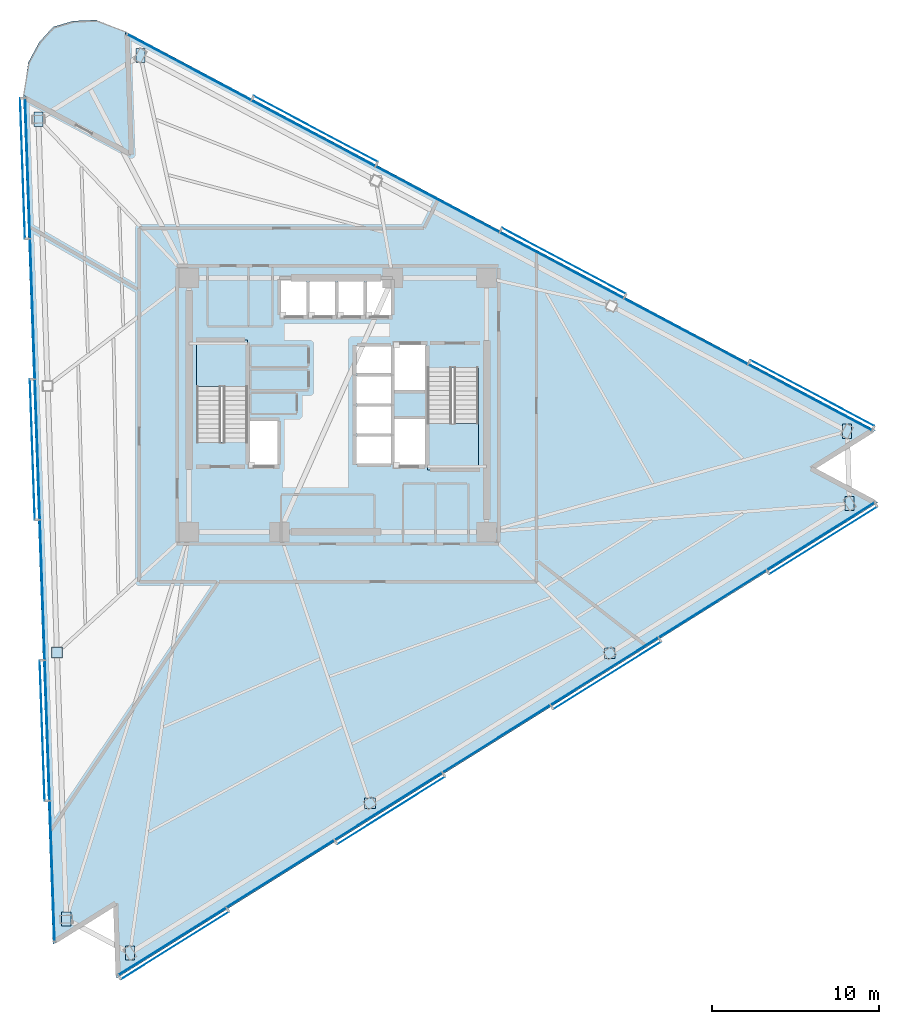
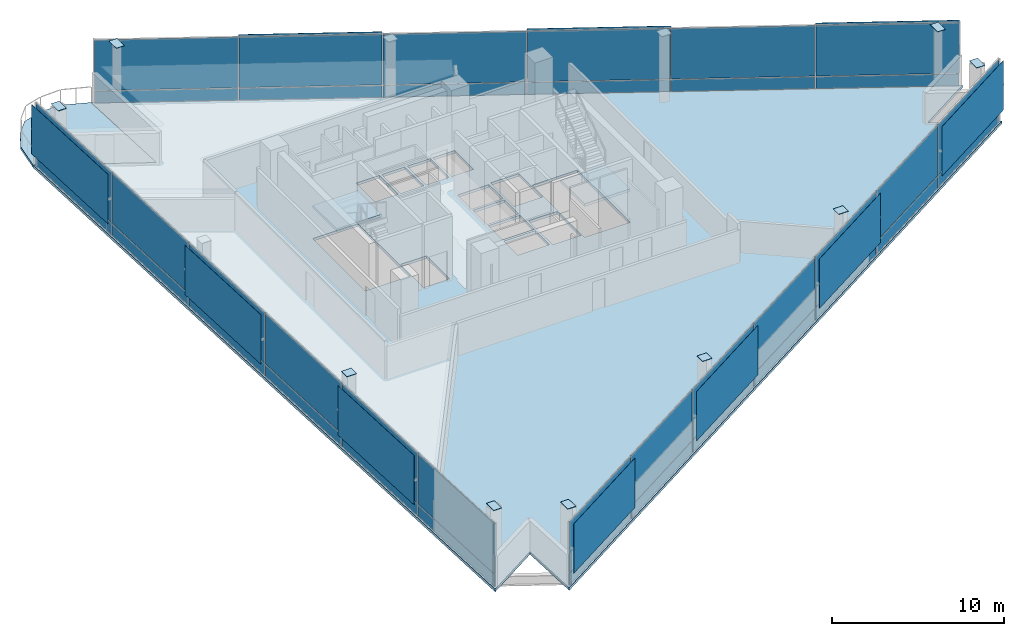
# One storey, part 11 of 19: 57 plates, 4 slabs, 5 elements without a shape of their own.
"""IFC4 building model written with IfcOpenShell, lengths in metres."""

from ifc_helpers import new_model, si_unit, direction, frame, origin, origin_2d, place, context, subcontext, project, spatial, polyline, rectangle, outline, extrude, material, layer, layer_set, type_object, element, aggregate, save


model = new_model("IFC4")

# Units and contexts
model_context = context("Model", 3, precision=1e-05, world=origin(), true_north=direction((0.0, 1.0)))
body_context = subcontext(model_context, "Body", "Model", "MODEL_VIEW")
ifc_project = project(units=[si_unit("LENGTHUNIT", "METRE"), si_unit("AREAUNIT", "SQUARE_METRE"), si_unit("VOLUMEUNIT", "CUBIC_METRE"), si_unit("PLANEANGLEUNIT", "RADIAN"), si_unit("MASSUNIT", "GRAM", prefix="KILO")], contexts=[model_context])

# Site, building, storey
site_placement = place(None, origin())
site = spatial("IfcSite", under=ifc_project, at=site_placement, CompositionType="ELEMENT")
building_placement = place(site_placement, origin())
building = spatial("IfcBuilding", under=site, at=building_placement, Name="Tharavind Bronze Gate", CompositionType="ELEMENT")
storey_placement = place(building_placement, frame((0.0, 0.0, 160.39990234375)))
storey = spatial("IfcBuildingStorey", under=building, at=storey_placement, Name="L41", CompositionType="ELEMENT", Elevation=160.39990234375)

# Plates
ifc_material_1 = material(Name="Perforated Bronze Alloy", Category="bronze")
ifc_layer_1 = layer(ifc_material_1, 0.011962890625)
ifc_layer_set_1 = layer_set([ifc_layer_1], Name="Perforated Bronze Alloy")
plate_type_1 = type_object("IfcPlateType", Name="BRONZE PERFORATED SOLAR SCREEN", PredefinedType="USERDEFINED", material=ifc_layer_set_1)
for number, where, z_axis, x_axis, name in (
    (1, (-18.867919921875, 14.1494140625, 0.966552734375), (0.0, 0.0, 1.0), (0.034899496703, -0.999390827019, 0.0), "CW-L41-S1 perforated bronze solar screen 1"),
    (2, (-18.280517578125, -2.66943359375, 0.966552734375), (0.0, 0.0, 1.0), (0.034899496703, -0.999390827019, 0.0), "CW-L41-S1 perforated bronze solar screen 3"),
    (3, (-17.693115234375, -19.48828125, 0.966552734375), (0.0, 0.0, 1.0), (0.034899496703, -0.999390827019, 0.0), "CW-L41-S1 perforated bronze solar screen 5"),
):
    element("IfcPlate", number, at=place(storey_placement, frame(where, z_axis=z_axis, x_axis=x_axis)), inside=storey, type_object=plate_type_1, Name=name, ObjectType="SCREEN", PredefinedType="USERDEFINED", context=body_context, shape_type="SweptSolid", body=[
        extrude(rectangle(XDim=8.39453125, YDim=0.011962890625, at=origin_2d()), origin(), (0.0, 0.0, 1.0), 3.52197265625),
    ])
for number, where, z_axis, x_axis, name in (
    (4, (-9.75439453125, -32.3505859375, 0.966552734375), (0.0, 0.0, 1.0), (0.848048096156, 0.529919264233, 0.0), "CW-L41-S2 perforated bronze solar screen 1"),
    (5, (3.176513671875, -24.2705078125, 0.966552734375), (0.0, 0.0, 1.0), (0.848048096156, 0.529919264233, 0.0), "CW-L41-S2 perforated bronze solar screen 3"),
    (6, (16.107421875, -16.190185546875, 0.966552734375), (0.0, 0.0, 1.0), (0.848048096156, 0.529919264233, 0.0), "CW-L41-S2 perforated bronze solar screen 5"),
    (7, (29.0380859375, -8.110107421875, 0.966552734375), (0.0, 0.0, 1.0), (0.848048096156, 0.529919264233, 0.0), "CW-L41-S2 perforated bronze solar screen 7"),
):
    element("IfcPlate", number, at=place(storey_placement, frame(where, z_axis=z_axis, x_axis=x_axis)), inside=storey, type_object=plate_type_1, Name=name, ObjectType="SCREEN", PredefinedType="USERDEFINED", context=body_context, shape_type="SweptSolid", body=[
        extrude(rectangle(XDim=7.60400390625, YDim=0.011962890625, at=origin_2d()), origin(), (0.0, 0.0, 1.0), 3.52197265625),
    ])
for number, where, z_axis, x_axis, name in (
    (8, (28.387451171875, 0.713134765625, 0.966552734375), (0.0, 0.0, 1.0), (-0.882947592859, 0.469471562786, 0.0), "CW-L41-S3 perforated bronze solar screen 1"),
    (9, (13.5283203125, 8.614013671875, 0.966552734375), (0.0, 0.0, 1.0), (-0.882947592859, 0.469471562786, 0.0), "CW-L41-S3 perforated bronze solar screen 3"),
    (10, (-1.3310546875, 16.514892578125, 0.966552734375), (0.0, 0.0, 1.0), (-0.882947592859, 0.469471562786, 0.0), "CW-L41-S3 perforated bronze solar screen 5"),
):
    element("IfcPlate", number, at=place(storey_placement, frame(where, z_axis=z_axis, x_axis=x_axis)), inside=storey, type_object=plate_type_1, Name=name, ObjectType="SCREEN", PredefinedType="USERDEFINED", context=body_context, shape_type="SweptSolid", body=[
        extrude(rectangle(XDim=8.39453125, YDim=0.011962890625, at=origin_2d()), origin(), (0.0, 0.0, 1.0), 3.52197265625),
    ])

# Curtain wall, plates
ifc_material_2 = material(Name="Anodised Bronze Aluminium", Category="aluminium")
ifc_layer_2 = layer(ifc_material_2, 0.219970703125)
ifc_layer_set_2 = layer_set([ifc_layer_2], Name="Anodised Bronze Aluminium")
curtain_wall_type = type_object("IfcCurtainWallType", Name="UNITISED CURTAIN WALL MID OFFICE", PredefinedType="USERDEFINED", material=ifc_layer_set_2)
curtain_wall_1_placement = place(storey_placement, origin())
curtain_wall_1 = element("IfcCurtainWall", 11, at=curtain_wall_1_placement, inside=storey, type_object=curtain_wall_type, Name="L41 unitised curtain wall mid office CW-L41-S1", ObjectType="UNITISED CURTAIN WALL", PredefinedType="USERDEFINED")
ifc_material_3 = material(Name="Patinated Bronze Alloy Sheet", Category="bronze")
ifc_layer_3 = layer(ifc_material_3, 0.01611328125)
ifc_layer_set_3 = layer_set([ifc_layer_3], Name="Patinated Bronze Alloy Sheet")
plate_type_2 = type_object("IfcPlateType", Name="BRONZE SPANDREL CLADDING PANEL 16", PredefinedType="CURTAIN_PANEL", material=ifc_layer_set_3)
plate_1_placement = place(storey_placement, frame((-18.572998046875, 14.159912109375, 0.02685546875), z_axis=(0.0, 0.0, 1.0), x_axis=(0.034899496703, -0.999390827019, 0.0)))
plate_1 = element("IfcPlate", 12, at=plate_1_placement, type_object=plate_type_2, Name="CW-L41-S1 bronze spandrel panel 1", PredefinedType="CURTAIN_PANEL", context=body_context, shape_type="SweptSolid", body=[
    extrude(rectangle(XDim=8.361572265625, YDim=0.01611328125, at=origin_2d()), origin(), (0.0, 0.0, 1.0), 0.846923828125),
])
plate_2_placement = place(storey_placement, frame((-18.279296875, 5.750244140625, 0.02685546875), z_axis=(0.0, 0.0, 1.0), x_axis=(0.034899496703, -0.999390827019, 0.0)))
plate_2 = element("IfcPlate", 13, at=plate_2_placement, type_object=plate_type_2, Name="CW-L41-S1 bronze spandrel panel 2", PredefinedType="CURTAIN_PANEL", context=body_context, shape_type="SweptSolid", body=[
    extrude(rectangle(XDim=8.361572265625, YDim=0.01611328125, at=origin_2d()), origin(), (0.0, 0.0, 1.0), 0.846923828125),
])
plate_3_placement = place(storey_placement, frame((-17.985595703125, -2.6591796875, 0.02685546875), z_axis=(0.0, 0.0, 1.0), x_axis=(0.034899496703, -0.999390827019, 0.0)))
plate_3 = element("IfcPlate", 14, at=plate_3_placement, type_object=plate_type_2, Name="CW-L41-S1 bronze spandrel panel 3", PredefinedType="CURTAIN_PANEL", context=body_context, shape_type="SweptSolid", body=[
    extrude(rectangle(XDim=8.361572265625, YDim=0.01611328125, at=origin_2d()), origin(), (0.0, 0.0, 1.0), 0.846923828125),
])
plate_4_placement = place(storey_placement, frame((-17.69189453125, -11.068603515625, 0.02685546875), z_axis=(0.0, 0.0, 1.0), x_axis=(0.034899496703, -0.999390827019, 0.0)))
plate_4 = element("IfcPlate", 15, at=plate_4_placement, type_object=plate_type_2, Name="CW-L41-S1 bronze spandrel panel 4", PredefinedType="CURTAIN_PANEL", context=body_context, shape_type="SweptSolid", body=[
    extrude(rectangle(XDim=8.361572265625, YDim=0.01611328125, at=origin_2d()), origin(), (0.0, 0.0, 1.0), 0.846923828125),
])
plate_5_placement = place(storey_placement, frame((-17.398193359375, -19.477783203125, 0.02685546875), z_axis=(0.0, 0.0, 1.0), x_axis=(0.034899496703, -0.999390827019, 0.0)))
plate_5 = element("IfcPlate", 16, at=plate_5_placement, type_object=plate_type_2, Name="CW-L41-S1 bronze spandrel panel 5", PredefinedType="CURTAIN_PANEL", context=body_context, shape_type="SweptSolid", body=[
    extrude(rectangle(XDim=8.361572265625, YDim=0.01611328125, at=origin_2d()), origin(), (0.0, 0.0, 1.0), 0.846923828125),
])
plate_6_placement = place(storey_placement, frame((-17.1044921875, -27.887451171875, 0.02685546875), z_axis=(0.0, 0.0, 1.0), x_axis=(0.034899496703, -0.999390827019, 0.0)))
plate_6 = element("IfcPlate", 17, at=plate_6_placement, type_object=plate_type_2, Name="CW-L41-S1 bronze spandrel panel 6", PredefinedType="CURTAIN_PANEL", context=body_context, shape_type="SweptSolid", body=[
    extrude(rectangle(XDim=8.361572265625, YDim=0.01611328125, at=origin_2d()), origin(), (0.0, 0.0, 1.0), 0.846923828125),
])

curtain_wall_2_placement = place(storey_placement, origin())
curtain_wall_2 = element("IfcCurtainWall", 18, at=curtain_wall_2_placement, inside=storey, type_object=curtain_wall_type, Name="L41 unitised curtain wall mid office CW-L41-S2", ObjectType="UNITISED CURTAIN WALL", PredefinedType="USERDEFINED")
plate_7_placement = place(storey_placement, frame((-9.910888671875, -32.100341796875, 0.02685546875), z_axis=(0.0, 0.0, 1.0), x_axis=(0.848048096156, 0.529919264233, 0.0)))
plate_7 = element("IfcPlate", 19, at=plate_7_placement, type_object=plate_type_2, Name="CW-L41-S2 bronze spandrel panel 1", PredefinedType="CURTAIN_PANEL", context=body_context, shape_type="SweptSolid", body=[
    extrude(rectangle(XDim=7.57080078125, YDim=0.01611328125, at=origin_2d()), origin(), (0.0, 0.0, 1.0), 0.846923828125),
])
plate_8_placement = place(storey_placement, frame((-3.4453125, -28.060302734375, 0.02685546875), z_axis=(0.0, 0.0, 1.0), x_axis=(0.848048096156, 0.529919264233, 0.0)))
plate_8 = element("IfcPlate", 20, at=plate_8_placement, type_object=plate_type_2, Name="CW-L41-S2 bronze spandrel panel 2", PredefinedType="CURTAIN_PANEL", context=body_context, shape_type="SweptSolid", body=[
    extrude(rectangle(XDim=7.57080078125, YDim=0.01611328125, at=origin_2d()), origin(), (0.0, 0.0, 1.0), 0.846923828125),
])
plate_9_placement = place(storey_placement, frame((3.02001953125, -24.020263671875, 0.02685546875), z_axis=(0.0, 0.0, 1.0), x_axis=(0.848048096156, 0.529919264233, 0.0)))
plate_9 = element("IfcPlate", 21, at=plate_9_placement, type_object=plate_type_2, Name="CW-L41-S2 bronze spandrel panel 3", PredefinedType="CURTAIN_PANEL", context=body_context, shape_type="SweptSolid", body=[
    extrude(rectangle(XDim=7.57080078125, YDim=0.01611328125, at=origin_2d()), origin(), (0.0, 0.0, 1.0), 0.846923828125),
])
plate_10_placement = place(storey_placement, frame((9.485595703125, -19.97998046875, 0.02685546875), z_axis=(0.0, 0.0, 1.0), x_axis=(0.848048096156, 0.529919264233, 0.0)))
plate_10 = element("IfcPlate", 22, at=plate_10_placement, type_object=plate_type_2, Name="CW-L41-S2 bronze spandrel panel 4", PredefinedType="CURTAIN_PANEL", context=body_context, shape_type="SweptSolid", body=[
    extrude(rectangle(XDim=7.57080078125, YDim=0.01611328125, at=origin_2d()), origin(), (0.0, 0.0, 1.0), 0.846923828125),
])
plate_11_placement = place(storey_placement, frame((15.950927734375, -15.93994140625, 0.02685546875), z_axis=(0.0, 0.0, 1.0), x_axis=(0.848048096156, 0.529919264233, 0.0)))
plate_11 = element("IfcPlate", 23, at=plate_11_placement, type_object=plate_type_2, Name="CW-L41-S2 bronze spandrel panel 5", PredefinedType="CURTAIN_PANEL", context=body_context, shape_type="SweptSolid", body=[
    extrude(rectangle(XDim=7.57080078125, YDim=0.01611328125, at=origin_2d()), origin(), (0.0, 0.0, 1.0), 0.846923828125),
])
plate_12_placement = place(storey_placement, frame((22.41650390625, -11.89990234375, 0.02685546875), z_axis=(0.0, 0.0, 1.0), x_axis=(0.848048096156, 0.529919264233, 0.0)))
plate_12 = element("IfcPlate", 24, at=plate_12_placement, type_object=plate_type_2, Name="CW-L41-S2 bronze spandrel panel 6", PredefinedType="CURTAIN_PANEL", context=body_context, shape_type="SweptSolid", body=[
    extrude(rectangle(XDim=7.57080078125, YDim=0.01611328125, at=origin_2d()), origin(), (0.0, 0.0, 1.0), 0.846923828125),
])
plate_13_placement = place(storey_placement, frame((28.8818359375, -7.85986328125, 0.02685546875), z_axis=(0.0, 0.0, 1.0), x_axis=(0.848048096156, 0.529919264233, 0.0)))
plate_13 = element("IfcPlate", 25, at=plate_13_placement, type_object=plate_type_2, Name="CW-L41-S2 bronze spandrel panel 7", PredefinedType="CURTAIN_PANEL", context=body_context, shape_type="SweptSolid", body=[
    extrude(rectangle(XDim=7.57080078125, YDim=0.01611328125, at=origin_2d()), origin(), (0.0, 0.0, 1.0), 0.846923828125),
])

curtain_wall_3_placement = place(storey_placement, origin())
curtain_wall_3 = element("IfcCurtainWall", 26, at=curtain_wall_3_placement, inside=storey, type_object=curtain_wall_type, Name="L41 unitised curtain wall mid office CW-L41-S3", ObjectType="UNITISED CURTAIN WALL", PredefinedType="USERDEFINED")
plate_14_placement = place(storey_placement, frame((28.2490234375, 0.45263671875, 0.02685546875), z_axis=(0.0, 0.0, 1.0), x_axis=(-0.882947592859, 0.469471562786, 0.0)))
plate_14 = element("IfcPlate", 27, at=plate_14_placement, type_object=plate_type_2, Name="CW-L41-S3 bronze spandrel panel 1", PredefinedType="CURTAIN_PANEL", context=body_context, shape_type="SweptSolid", body=[
    extrude(rectangle(XDim=8.361572265625, YDim=0.01611328125, at=origin_2d()), origin(), (0.0, 0.0, 1.0), 0.846923828125),
])
plate_15_placement = place(storey_placement, frame((20.8193359375, 4.403076171875, 0.02685546875), z_axis=(0.0, 0.0, 1.0), x_axis=(-0.882947592859, 0.469471562786, 0.0)))
plate_15 = element("IfcPlate", 28, at=plate_15_placement, type_object=plate_type_2, Name="CW-L41-S3 bronze spandrel panel 2", PredefinedType="CURTAIN_PANEL", context=body_context, shape_type="SweptSolid", body=[
    extrude(rectangle(XDim=8.361572265625, YDim=0.01611328125, at=origin_2d()), origin(), (0.0, 0.0, 1.0), 0.846923828125),
])
plate_16_placement = place(storey_placement, frame((13.389892578125, 8.353515625, 0.02685546875), z_axis=(0.0, 0.0, 1.0), x_axis=(-0.882947592859, 0.469471562786, 0.0)))
plate_16 = element("IfcPlate", 29, at=plate_16_placement, type_object=plate_type_2, Name="CW-L41-S3 bronze spandrel panel 3", PredefinedType="CURTAIN_PANEL", context=body_context, shape_type="SweptSolid", body=[
    extrude(rectangle(XDim=8.361572265625, YDim=0.01611328125, at=origin_2d()), origin(), (0.0, 0.0, 1.0), 0.846923828125),
])
plate_17_placement = place(storey_placement, frame((5.960205078125, 12.303955078125, 0.02685546875), z_axis=(0.0, 0.0, 1.0), x_axis=(-0.882947592859, 0.469471562786, 0.0)))
plate_17 = element("IfcPlate", 30, at=plate_17_placement, type_object=plate_type_2, Name="CW-L41-S3 bronze spandrel panel 4", PredefinedType="CURTAIN_PANEL", context=body_context, shape_type="SweptSolid", body=[
    extrude(rectangle(XDim=8.361572265625, YDim=0.01611328125, at=origin_2d()), origin(), (0.0, 0.0, 1.0), 0.846923828125),
])
plate_18_placement = place(storey_placement, frame((-1.469482421875, 16.25439453125, 0.02685546875), z_axis=(0.0, 0.0, 1.0), x_axis=(-0.882947592859, 0.469471562786, 0.0)))
plate_18 = element("IfcPlate", 31, at=plate_18_placement, type_object=plate_type_2, Name="CW-L41-S3 bronze spandrel panel 5", PredefinedType="CURTAIN_PANEL", context=body_context, shape_type="SweptSolid", body=[
    extrude(rectangle(XDim=8.361572265625, YDim=0.01611328125, at=origin_2d()), origin(), (0.0, 0.0, 1.0), 0.846923828125),
])
plate_19_placement = place(storey_placement, frame((-8.899169921875, 20.20458984375, 0.02685546875), z_axis=(0.0, 0.0, 1.0), x_axis=(-0.882947592859, 0.469471562786, 0.0)))
plate_19 = element("IfcPlate", 32, at=plate_19_placement, type_object=plate_type_2, Name="CW-L41-S3 bronze spandrel panel 6", PredefinedType="CURTAIN_PANEL", context=body_context, shape_type="SweptSolid", body=[
    extrude(rectangle(XDim=8.361572265625, YDim=0.01611328125, at=origin_2d()), origin(), (0.0, 0.0, 1.0), 0.846923828125),
])

# Slab
ifc_material_4 = material(Name="Concrete C40/50", Category="concrete")
ifc_layer_4 = layer(ifc_material_4, 0.179931640625)
ifc_layer_set_4 = layer_set([ifc_layer_4], Name="Concrete C40/50")
slab_type_1 = type_object("IfcSlabType", Name="EXTERIOR BALCONY SLAB 180", PredefinedType="FLOOR", material=ifc_layer_set_4)
slab_1_placement = place(storey_placement, frame((0.0, 0.0, -0.179931640625)))
element("IfcSlab", 33, at=slab_1_placement, inside=storey, type_object=slab_type_1, Name="L41 northeast tree balcony slab", PredefinedType="FLOOR", context=body_context, shape_type="SweptSolid", body=[
    extrude(outline(polyline([(-14.45654296875, 23.033203125), (-15.835693359375, 22.975830078125), (-17.032470703125, 22.626220703125), (-17.87109375, 21.7041015625), (-18.527099609375, 20.489501953125), (-18.82568359375, 18.5341796875), (-12.468505859375, 15.15380859375), (-12.719970703125, 22.349609375), (-14.45654296875, 23.033203125)])), origin(), (0.0, 0.0, 1.0), 0.179931640625),
])

# Stair, slab
stair_type = type_object("IfcStairType", Name="CORE HALF TURN STAIR 1450", PredefinedType="HALF_TURN_STAIR", material=ifc_material_4)
stair_1_placement = place(storey_placement, origin())
stair_1 = element("IfcStair", 34, at=stair_1_placement, inside=storey, type_object=stair_type, Name="L41 Protected Exit Stair ST1", PredefinedType="HALF_TURN_STAIR")
ifc_layer_5 = layer(ifc_material_4, 0.199951171875)
ifc_layer_set_5 = layer_set([ifc_layer_5], Name="Concrete C40/50")
slab_type_2 = type_object("IfcSlabType", Name="STAIR LANDING SLAB 200", PredefinedType="LANDING", material=ifc_layer_set_5)
slab_2_placement = place(storey_placement, frame((0.0, 0.0, 2.175048828125)))
slab_2 = element("IfcSlab", 35, at=slab_2_placement, type_object=slab_type_2, Name="ST1 landing 1", PredefinedType="LANDING", context=body_context, shape_type="SweptSolid", body=[
    extrude(outline(polyline([(-5.39990234375, 1.110107421875), (-5.39990234375, 3.89990234375), (-8.449951171875, 3.89990234375), (-8.449951171875, 1.110107421875), (-5.39990234375, 1.110107421875)])), origin(), (0.0, 0.0, 1.0), 0.199951171875),
])
aggregate(stair_1, [slab_2])

stair_2_placement = place(storey_placement, origin())
stair_2 = element("IfcStair", 36, at=stair_2_placement, inside=storey, type_object=stair_type, Name="L41 Protected Exit Stair ST2", PredefinedType="HALF_TURN_STAIR")
slab_3_placement = place(storey_placement, frame((0.0, 0.0, 2.175048828125)))
slab_3 = element("IfcSlab", 37, at=slab_3_placement, type_object=slab_type_2, Name="ST2 landing 1", PredefinedType="LANDING", context=body_context, shape_type="SweptSolid", body=[
    extrude(outline(polyline([(5.35009765625, -1.110107421875), (5.35009765625, -3.89990234375), (8.39990234375, -3.89990234375), (8.39990234375, -1.110107421875), (5.35009765625, -1.110107421875)])), origin(), (0.0, 0.0, 1.0), 0.199951171875),
])
aggregate(stair_2, [slab_3])

# Plates
ifc_material_5 = material(Name="Steel S460", Category="steel")
ifc_layer_6 = layer(ifc_material_5, 0.02490234375)
ifc_layer_set_6 = layer_set([ifc_layer_6], Name="Steel S460")
plate_type_3 = type_object("IfcPlateType", Name="STEEL END CAP SHEET 25", PredefinedType="SHEET", material=ifc_layer_set_6)
plate_20_placement = place(storey_placement, frame((-17.9248046875, 17.09228515625, 4.737548828125), z_axis=(0.0, 0.0, 1.0), x_axis=(1.0, 0.0, 0.0)))
element("IfcPlate", 38, at=plate_20_placement, inside=storey, type_object=plate_type_3, Name="Steel end cap plate CAP-COLT-L41-S1C1", PredefinedType="SHEET", context=body_context, shape_type="SweptSolid", body=[
    extrude(rectangle(XDim=0.544921875, YDim=0.844970703125, at=origin_2d()), origin(), (0.0, 0.0, 1.0), 0.02490234375),
])
plate_21_placement = place(storey_placement, frame((-16.810791015625, -14.814208984375, 4.737548828125), z_axis=(0.0, 0.0, 1.0), x_axis=(1.0, 0.0, 0.0)))
element("IfcPlate", 39, at=plate_21_placement, inside=storey, type_object=plate_type_3, Name="Steel end cap plate CAP-COLT-L41-S1C3", PredefinedType="SHEET", context=body_context, shape_type="SweptSolid", body=[
    extrude(rectangle(XDim=0.64501953125, YDim=0.64501953125, at=origin_2d()), origin(), (0.0, 0.0, 1.0), 0.02490234375),
])
for number, where, z_axis, x_axis, name in (
    (40, (-16.253662109375, -30.767578125, 4.737548828125), (0.0, 0.0, 1.0), (1.0, 0.0, 0.0), "Steel end cap plate CAP-COLT-L41-S1C4"),
    (41, (-12.439208984375, -32.7958984375, 4.737548828125), (0.0, 0.0, 1.0), (1.0, 0.0, 0.0), "Steel end cap plate CAP-COLT-L41-S2C1"),
):
    element("IfcPlate", number, at=place(storey_placement, frame(where, z_axis=z_axis, x_axis=x_axis)), inside=storey, type_object=plate_type_3, Name=name, PredefinedType="SHEET", context=body_context, shape_type="SweptSolid", body=[
        extrude(rectangle(XDim=0.544921875, YDim=0.844970703125, at=origin_2d()), origin(), (0.0, 0.0, 1.0), 0.02490234375),
    ])
for number, where, z_axis, x_axis, name in (
    (42, (1.912353515625, -23.827880859375, 4.737548828125), (0.0, 0.0, 1.0), (1.0, 0.0, 0.0), "Steel end cap plate CAP-COLT-L41-S2C2"),
    (43, (16.263916015625, -14.860107421875, 4.737548828125), (0.0, 0.0, 1.0), (1.0, 0.0, 0.0), "Steel end cap plate CAP-COLT-L41-S2C3"),
):
    element("IfcPlate", number, at=place(storey_placement, frame(where, z_axis=z_axis, x_axis=x_axis)), inside=storey, type_object=plate_type_3, Name=name, PredefinedType="SHEET", context=body_context, shape_type="SweptSolid", body=[
        extrude(rectangle(XDim=0.64501953125, YDim=0.64501953125, at=origin_2d()), origin(), (0.0, 0.0, 1.0), 0.02490234375),
    ])
for number, where, z_axis, x_axis, name in (
    (44, (30.615478515625, -5.89208984375, 4.737548828125), (0.0, 0.0, 1.0), (1.0, 0.0, 0.0), "Steel end cap plate CAP-COLT-L41-S2C4"),
    (45, (30.46484375, -1.57470703125, 4.737548828125), (0.0, 0.0, 1.0), (1.0, 0.0, 0.0), "Steel end cap plate CAP-COLT-L41-S3C1"),
    (46, (-11.819091796875, 20.90771484375, 4.737548828125), (0.0, 0.0, 1.0), (1.0, 0.0, 0.0), "Steel end cap plate CAP-COLT-L41-S3C4"),
):
    element("IfcPlate", number, at=place(storey_placement, frame(where, z_axis=z_axis, x_axis=x_axis)), inside=storey, type_object=plate_type_3, Name=name, PredefinedType="SHEET", context=body_context, shape_type="SweptSolid", body=[
        extrude(rectangle(XDim=0.544921875, YDim=0.844970703125, at=origin_2d()), origin(), (0.0, 0.0, 1.0), 0.02490234375),
    ])

# Slab
ifc_layer_7 = layer(ifc_material_4, 0.18994140625)
ifc_layer_set_7 = layer_set([ifc_layer_7], Name="Concrete C40/50")
slab_type_3 = type_object("IfcSlabType", Name="STRUCTURAL FLOOR SLAB 190", PredefinedType="FLOOR", material=ifc_layer_set_7)
slab_4_placement = place(storey_placement, frame((0.0, 0.0, -0.18994140625)))
element("IfcSlab", 47, at=slab_4_placement, inside=storey, type_object=slab_type_3, Name="L41 main structural floor slab", PredefinedType="FLOOR", context=body_context, shape_type="SweptSolid", body=[
    extrude(outline(polyline([(-12.719970703125, 22.349609375), (-12.468505859375, 15.15380859375), (-18.82568359375, 18.5341796875), (-17.0517578125, -32.268798828125), (-13.38818359375, -29.9794921875), (-13.2373046875, -34.296875), (32.314453125, -5.8330078125), (28.500244140625, -3.8046875), (32.163818359375, -1.515380859375), (-12.719970703125, 22.349609375)]), holes=[polyline([(-5.39990234375, -2.215087890625), (-5.39990234375, 3.89990234375), (-8.449951171875, 3.89990234375), (-8.449951171875, -2.215087890625), (-5.39990234375, -2.215087890625)]), polyline([(5.35009765625, 2.215087890625), (5.35009765625, -3.89990234375), (8.39990234375, -3.89990234375), (8.39990234375, 2.215087890625), (5.35009765625, 2.215087890625)]), polyline([(-3.419921875, 5.330078125), (-1.867431640625, 5.330078125), (-1.867431640625, 7.52001953125), (-3.419921875, 7.52001953125), (-3.419921875, 5.330078125)]), polyline([(-1.70751953125, 5.330078125), (-0.155029296875, 5.330078125), (-0.155029296875, 7.52001953125), (-1.70751953125, 7.52001953125), (-1.70751953125, 5.330078125)]), polyline([(0.0048828125, 5.330078125), (1.5576171875, 5.330078125), (1.5576171875, 7.52001953125), (0.0048828125, 7.52001953125), (0.0048828125, 5.330078125)]), polyline([(1.717529296875, 5.330078125), (3.199951171875, 5.330078125), (3.199951171875, 7.52001953125), (1.717529296875, 7.52001953125), (1.717529296875, 5.330078125)]), polyline([(1.080078125, -3.52001953125), (3.199951171875, -3.52001953125), (3.199951171875, -1.8798828125), (1.080078125, -1.8798828125), (1.080078125, -3.52001953125)]), polyline([(1.080078125, -1.719970703125), (3.199951171875, -1.719970703125), (3.199951171875, -0.080078125), (1.080078125, -0.080078125), (1.080078125, -1.719970703125)]), polyline([(1.080078125, 0.080078125), (3.199951171875, 0.080078125), (3.199951171875, 1.719970703125), (1.080078125, 1.719970703125), (1.080078125, 0.080078125)]), polyline([(1.080078125, 1.8798828125), (3.199951171875, 1.8798828125), (3.199951171875, 3.52001953125), (1.080078125, 3.52001953125), (1.080078125, 1.8798828125)]), polyline([(-5.320068359375, -3.6201171875), (-3.580078125, -3.6201171875), (-3.580078125, -0.929931640625), (-5.320068359375, -0.929931640625), (-5.320068359375, -3.6201171875)]), polyline([(3.360107421875, 0.8798828125), (5.27001953125, 0.8798828125), (5.27001953125, 3.6201171875), (3.360107421875, 3.6201171875), (3.360107421875, 0.8798828125)]), polyline([(3.360107421875, -3.6201171875), (5.27001953125, -3.6201171875), (5.27001953125, -0.830078125), (3.360107421875, -0.830078125), (3.360107421875, -3.6201171875)])]), origin(), (0.0, 0.0, 1.0), 0.18994140625),
])

# Plate
ifc_material_6 = material(Name="Triple Solar Control Glazing", Category="glass")
ifc_layer_8 = layer(ifc_material_6, 0.0439453125)
ifc_layer_set_8 = layer_set([ifc_layer_8], Name="Triple Solar Control Glazing")
plate_type_4 = type_object("IfcPlateType", Name="TRIPLE GLAZED FACADE PANEL 44", PredefinedType="CURTAIN_PANEL", material=ifc_layer_set_8)
plate_22_placement = place(storey_placement, frame((-18.572998046875, 14.159912109375, 0.926513671875), z_axis=(0.0, 0.0, 1.0), x_axis=(0.034899496703, -0.999390827019, 0.0)))
plate_22 = element("IfcPlate", 48, at=plate_22_placement, type_object=plate_type_4, Name="CW-L41-S1 vision glazing panel 1", PredefinedType="CURTAIN_PANEL", context=body_context, shape_type="SweptSolid", body=[
    extrude(rectangle(XDim=8.361572265625, YDim=0.0439453125, at=origin_2d()), origin(), (0.0, 0.0, 1.0), 3.60205078125),
])

plate_23_placement = place(storey_placement, frame((-18.279296875, 5.750244140625, 0.926513671875), z_axis=(0.0, 0.0, 1.0), x_axis=(0.034899496703, -0.999390827019, 0.0)))
plate_23 = element("IfcPlate", 49, at=plate_23_placement, type_object=plate_type_4, Name="CW-L41-S1 vision glazing panel 2", PredefinedType="CURTAIN_PANEL", context=body_context, shape_type="SweptSolid", body=[
    extrude(rectangle(XDim=8.361572265625, YDim=0.0439453125, at=origin_2d()), origin(), (0.0, 0.0, 1.0), 3.60205078125),
])

plate_24_placement = place(storey_placement, frame((-17.985595703125, -2.6591796875, 0.926513671875), z_axis=(0.0, 0.0, 1.0), x_axis=(0.034899496703, -0.999390827019, 0.0)))
plate_24 = element("IfcPlate", 50, at=plate_24_placement, type_object=plate_type_4, Name="CW-L41-S1 vision glazing panel 3", PredefinedType="CURTAIN_PANEL", context=body_context, shape_type="SweptSolid", body=[
    extrude(rectangle(XDim=8.361572265625, YDim=0.0439453125, at=origin_2d()), origin(), (0.0, 0.0, 1.0), 3.60205078125),
])

plate_25_placement = place(storey_placement, frame((-17.69189453125, -11.068603515625, 0.926513671875), z_axis=(0.0, 0.0, 1.0), x_axis=(0.034899496703, -0.999390827019, 0.0)))
plate_25 = element("IfcPlate", 51, at=plate_25_placement, type_object=plate_type_4, Name="CW-L41-S1 vision glazing panel 4", PredefinedType="CURTAIN_PANEL", context=body_context, shape_type="SweptSolid", body=[
    extrude(rectangle(XDim=8.361572265625, YDim=0.0439453125, at=origin_2d()), origin(), (0.0, 0.0, 1.0), 3.60205078125),
])

plate_26_placement = place(storey_placement, frame((-17.398193359375, -19.477783203125, 0.926513671875), z_axis=(0.0, 0.0, 1.0), x_axis=(0.034899496703, -0.999390827019, 0.0)))
plate_26 = element("IfcPlate", 52, at=plate_26_placement, type_object=plate_type_4, Name="CW-L41-S1 vision glazing panel 5", PredefinedType="CURTAIN_PANEL", context=body_context, shape_type="SweptSolid", body=[
    extrude(rectangle(XDim=8.361572265625, YDim=0.0439453125, at=origin_2d()), origin(), (0.0, 0.0, 1.0), 3.60205078125),
])

plate_27_placement = place(storey_placement, frame((-17.1044921875, -27.887451171875, 0.926513671875), z_axis=(0.0, 0.0, 1.0), x_axis=(0.034899496703, -0.999390827019, 0.0)))
plate_27 = element("IfcPlate", 53, at=plate_27_placement, type_object=plate_type_4, Name="CW-L41-S1 vision glazing panel 6", PredefinedType="CURTAIN_PANEL", context=body_context, shape_type="SweptSolid", body=[
    extrude(rectangle(XDim=8.361572265625, YDim=0.0439453125, at=origin_2d()), origin(), (0.0, 0.0, 1.0), 3.60205078125),
])

aggregate(curtain_wall_1, [plate_1, plate_22, plate_2, plate_23, plate_3, plate_24, plate_4, plate_25, plate_5, plate_26, plate_6, plate_27])

plate_28_placement = place(storey_placement, frame((-9.910888671875, -32.100341796875, 0.926513671875), z_axis=(0.0, 0.0, 1.0), x_axis=(0.848048096156, 0.529919264233, 0.0)))
plate_28 = element("IfcPlate", 54, at=plate_28_placement, type_object=plate_type_4, Name="CW-L41-S2 vision glazing panel 1", PredefinedType="CURTAIN_PANEL", context=body_context, shape_type="SweptSolid", body=[
    extrude(rectangle(XDim=7.57080078125, YDim=0.0439453125, at=origin_2d()), origin(), (0.0, 0.0, 1.0), 3.60205078125),
])

plate_29_placement = place(storey_placement, frame((-3.4453125, -28.060302734375, 0.926513671875), z_axis=(0.0, 0.0, 1.0), x_axis=(0.848048096156, 0.529919264233, 0.0)))
plate_29 = element("IfcPlate", 55, at=plate_29_placement, type_object=plate_type_4, Name="CW-L41-S2 vision glazing panel 2", PredefinedType="CURTAIN_PANEL", context=body_context, shape_type="SweptSolid", body=[
    extrude(rectangle(XDim=7.57080078125, YDim=0.0439453125, at=origin_2d()), origin(), (0.0, 0.0, 1.0), 3.60205078125),
])

plate_30_placement = place(storey_placement, frame((3.02001953125, -24.020263671875, 0.926513671875), z_axis=(0.0, 0.0, 1.0), x_axis=(0.848048096156, 0.529919264233, 0.0)))
plate_30 = element("IfcPlate", 56, at=plate_30_placement, type_object=plate_type_4, Name="CW-L41-S2 vision glazing panel 3", PredefinedType="CURTAIN_PANEL", context=body_context, shape_type="SweptSolid", body=[
    extrude(rectangle(XDim=7.57080078125, YDim=0.0439453125, at=origin_2d()), origin(), (0.0, 0.0, 1.0), 3.60205078125),
])

plate_31_placement = place(storey_placement, frame((9.485595703125, -19.97998046875, 0.926513671875), z_axis=(0.0, 0.0, 1.0), x_axis=(0.848048096156, 0.529919264233, 0.0)))
plate_31 = element("IfcPlate", 57, at=plate_31_placement, type_object=plate_type_4, Name="CW-L41-S2 vision glazing panel 4", PredefinedType="CURTAIN_PANEL", context=body_context, shape_type="SweptSolid", body=[
    extrude(rectangle(XDim=7.57080078125, YDim=0.0439453125, at=origin_2d()), origin(), (0.0, 0.0, 1.0), 3.60205078125),
])

plate_32_placement = place(storey_placement, frame((15.950927734375, -15.93994140625, 0.926513671875), z_axis=(0.0, 0.0, 1.0), x_axis=(0.848048096156, 0.529919264233, 0.0)))
plate_32 = element("IfcPlate", 58, at=plate_32_placement, type_object=plate_type_4, Name="CW-L41-S2 vision glazing panel 5", PredefinedType="CURTAIN_PANEL", context=body_context, shape_type="SweptSolid", body=[
    extrude(rectangle(XDim=7.57080078125, YDim=0.0439453125, at=origin_2d()), origin(), (0.0, 0.0, 1.0), 3.60205078125),
])

plate_33_placement = place(storey_placement, frame((22.41650390625, -11.89990234375, 0.926513671875), z_axis=(0.0, 0.0, 1.0), x_axis=(0.848048096156, 0.529919264233, 0.0)))
plate_33 = element("IfcPlate", 59, at=plate_33_placement, type_object=plate_type_4, Name="CW-L41-S2 vision glazing panel 6", PredefinedType="CURTAIN_PANEL", context=body_context, shape_type="SweptSolid", body=[
    extrude(rectangle(XDim=7.57080078125, YDim=0.0439453125, at=origin_2d()), origin(), (0.0, 0.0, 1.0), 3.60205078125),
])

plate_34_placement = place(storey_placement, frame((28.8818359375, -7.85986328125, 0.926513671875), z_axis=(0.0, 0.0, 1.0), x_axis=(0.848048096156, 0.529919264233, 0.0)))
plate_34 = element("IfcPlate", 60, at=plate_34_placement, type_object=plate_type_4, Name="CW-L41-S2 vision glazing panel 7", PredefinedType="CURTAIN_PANEL", context=body_context, shape_type="SweptSolid", body=[
    extrude(rectangle(XDim=7.57080078125, YDim=0.0439453125, at=origin_2d()), origin(), (0.0, 0.0, 1.0), 3.60205078125),
])

aggregate(curtain_wall_2, [plate_7, plate_28, plate_8, plate_29, plate_9, plate_30, plate_10, plate_31, plate_11, plate_32, plate_12, plate_33, plate_13, plate_34])

plate_35_placement = place(storey_placement, frame((28.2490234375, 0.45263671875, 0.926513671875), z_axis=(0.0, 0.0, 1.0), x_axis=(-0.882947592859, 0.469471562786, 0.0)))
plate_35 = element("IfcPlate", 61, at=plate_35_placement, type_object=plate_type_4, Name="CW-L41-S3 vision glazing panel 1", PredefinedType="CURTAIN_PANEL", context=body_context, shape_type="SweptSolid", body=[
    extrude(rectangle(XDim=8.361572265625, YDim=0.0439453125, at=origin_2d()), origin(), (0.0, 0.0, 1.0), 3.60205078125),
])

plate_36_placement = place(storey_placement, frame((20.8193359375, 4.403076171875, 0.926513671875), z_axis=(0.0, 0.0, 1.0), x_axis=(-0.882947592859, 0.469471562786, 0.0)))
plate_36 = element("IfcPlate", 62, at=plate_36_placement, type_object=plate_type_4, Name="CW-L41-S3 vision glazing panel 2", PredefinedType="CURTAIN_PANEL", context=body_context, shape_type="SweptSolid", body=[
    extrude(rectangle(XDim=8.361572265625, YDim=0.0439453125, at=origin_2d()), origin(), (0.0, 0.0, 1.0), 3.60205078125),
])

plate_37_placement = place(storey_placement, frame((13.389892578125, 8.353515625, 0.926513671875), z_axis=(0.0, 0.0, 1.0), x_axis=(-0.882947592859, 0.469471562786, 0.0)))
plate_37 = element("IfcPlate", 63, at=plate_37_placement, type_object=plate_type_4, Name="CW-L41-S3 vision glazing panel 3", PredefinedType="CURTAIN_PANEL", context=body_context, shape_type="SweptSolid", body=[
    extrude(rectangle(XDim=8.361572265625, YDim=0.0439453125, at=origin_2d()), origin(), (0.0, 0.0, 1.0), 3.60205078125),
])

plate_38_placement = place(storey_placement, frame((5.960205078125, 12.303955078125, 0.926513671875), z_axis=(0.0, 0.0, 1.0), x_axis=(-0.882947592859, 0.469471562786, 0.0)))
plate_38 = element("IfcPlate", 64, at=plate_38_placement, type_object=plate_type_4, Name="CW-L41-S3 vision glazing panel 4", PredefinedType="CURTAIN_PANEL", context=body_context, shape_type="SweptSolid", body=[
    extrude(rectangle(XDim=8.361572265625, YDim=0.0439453125, at=origin_2d()), origin(), (0.0, 0.0, 1.0), 3.60205078125),
])

plate_39_placement = place(storey_placement, frame((-1.469482421875, 16.25439453125, 0.926513671875), z_axis=(0.0, 0.0, 1.0), x_axis=(-0.882947592859, 0.469471562786, 0.0)))
plate_39 = element("IfcPlate", 65, at=plate_39_placement, type_object=plate_type_4, Name="CW-L41-S3 vision glazing panel 5", PredefinedType="CURTAIN_PANEL", context=body_context, shape_type="SweptSolid", body=[
    extrude(rectangle(XDim=8.361572265625, YDim=0.0439453125, at=origin_2d()), origin(), (0.0, 0.0, 1.0), 3.60205078125),
])

plate_40_placement = place(storey_placement, frame((-8.899169921875, 20.20458984375, 0.926513671875), z_axis=(0.0, 0.0, 1.0), x_axis=(-0.882947592859, 0.469471562786, 0.0)))
plate_40 = element("IfcPlate", 66, at=plate_40_placement, type_object=plate_type_4, Name="CW-L41-S3 vision glazing panel 6", PredefinedType="CURTAIN_PANEL", context=body_context, shape_type="SweptSolid", body=[
    extrude(rectangle(XDim=8.361572265625, YDim=0.0439453125, at=origin_2d()), origin(), (0.0, 0.0, 1.0), 3.60205078125),
])

aggregate(curtain_wall_3, [plate_14, plate_35, plate_15, plate_36, plate_16, plate_37, plate_17, plate_38, plate_18, plate_39, plate_19, plate_40])

save(model, "model.ifc")
